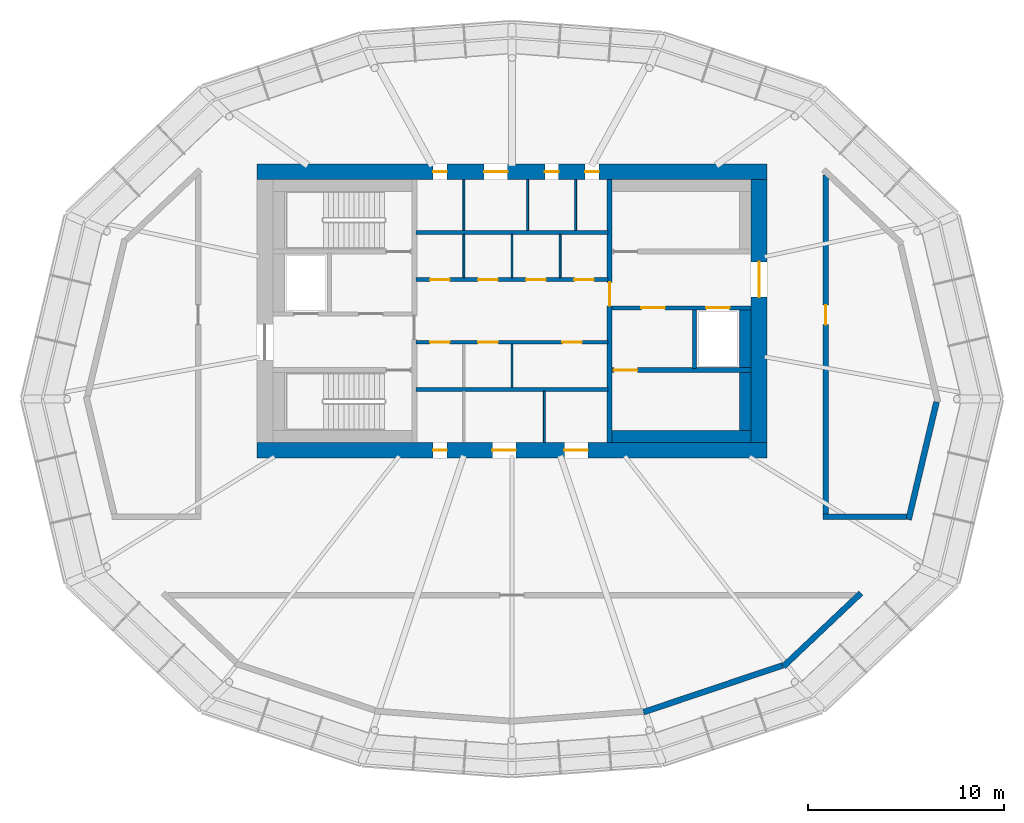
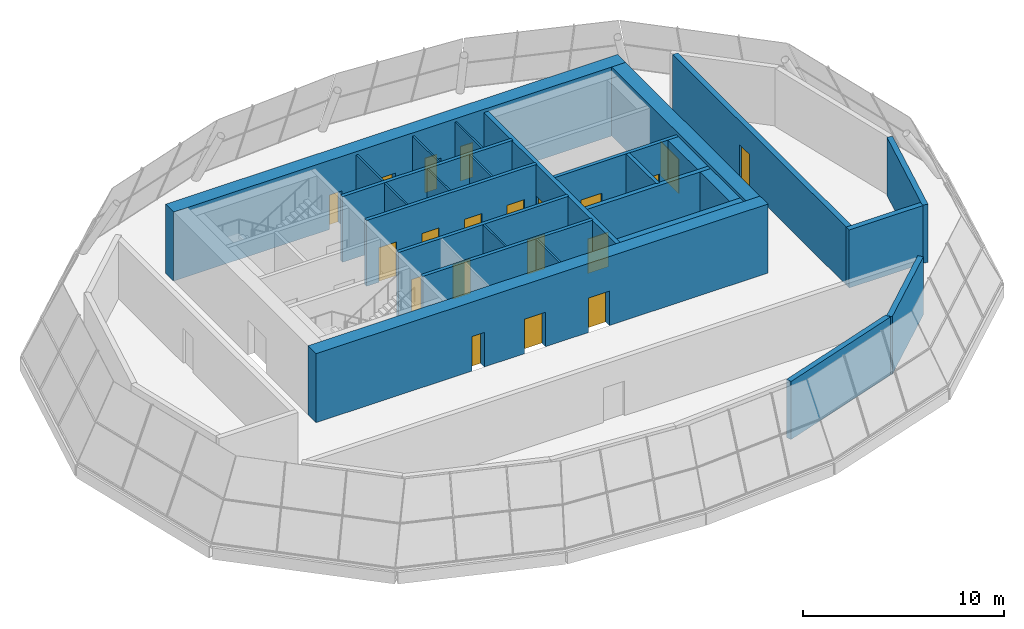
# One storey, part 6 of 8: 27 walls, 20 doors, 20 openings.
"""IFC4 building model written with IfcOpenShell, lengths in metres."""

from ifc_helpers import new_model, si_unit, direction, frame, frame_2d, origin, place, context, subcontext, project, spatial, rectangle, extrude, material, layer, layer_set, type_object, element, fill, save


model = new_model("IFC4")

# Units and contexts
model_context = context("Model", 3, precision=1e-05, world=origin(), true_north=direction((0.0, 1.0)))
body_context = subcontext(model_context, "Body", "Model", "MODEL_VIEW")
ifc_project = project(units=[si_unit("LENGTHUNIT", "METRE"), si_unit("AREAUNIT", "SQUARE_METRE"), si_unit("VOLUMEUNIT", "CUBIC_METRE"), si_unit("PLANEANGLEUNIT", "RADIAN"), si_unit("MASSUNIT", "GRAM", prefix="KILO")], contexts=[model_context])

# Site, building, storey
site_placement = place(None, origin())
site = spatial("IfcSite", under=ifc_project, at=site_placement, CompositionType="ELEMENT")
building_placement = place(site_placement, origin())
building = spatial("IfcBuilding", under=site, at=building_placement, Name="Rubra Terraces Tower", CompositionType="ELEMENT")
storey_placement = place(building_placement, frame((0.0, 0.0, 312.0)))
storey = spatial("IfcBuildingStorey", under=building, at=storey_placement, Name="L77", CompositionType="ELEMENT", Elevation=312.0)

# Wall, openings, doors
ifc_material_1 = material(Name="Concrete C50", Category="concrete")
ifc_layer_1 = layer(ifc_material_1, 0.800048828125)
ifc_layer_set_1 = layer_set([ifc_layer_1], Name="Concrete C50")
wall_type_1 = type_object("IfcWallType", Name="CORE WALL 800 C50", PredefinedType="SHEAR", material=ifc_layer_set_1)
wall_1_placement = place(storey_placement, frame((-13.0, 11.60009765625, 0.0), z_axis=(0.0, 0.0, 1.0), x_axis=(1.0, 0.0, 0.0)))
wall_1 = element("IfcWall", 1, at=wall_1_placement, inside=storey, type_object=wall_type_1, Name="CORE WALL N L77", PredefinedType="SHEAR", context=body_context, shape_type="SweptSolid", body=[
    extrude(rectangle(XDim=26.0, YDim=0.800048828125, at=frame_2d((13.0, 0.0))), origin(), (0.0, 0.0, 1.0), 4.199951171875),
])
opening_1_placement = place(wall_1_placement, frame((8.97509765625, 0.0, 0.0)))
opening_1 = element("IfcOpeningElement", 2, at=opening_1_placement, cuts=wall_1, Name="Opening L77.C23", PredefinedType="OPENING", context=body_context, shape_type="SweptSolid", body=[
    extrude(rectangle(XDim=0.699951171875, YDim=2.10009765625, at=frame_2d((0.35009765625, 1.050048828125))), frame((0.0, 0.409912109375, 0.0), z_axis=(0.0, -1.0, 0.0), x_axis=(1.0, 0.0, 0.0)), (0.0, 0.0, 1.0), 0.820068359375),
])
opening_2_placement = place(wall_1_placement, frame((11.574951171875, 0.0, 0.0)))
opening_2 = element("IfcOpeningElement", 3, at=opening_2_placement, cuts=wall_1, Name="Opening L77.C24", PredefinedType="OPENING", context=body_context, shape_type="SweptSolid", body=[
    extrude(rectangle(XDim=1.199951171875, YDim=2.10009765625, at=frame_2d((0.60009765625, 1.050048828125))), frame((0.0, 0.409912109375, 0.0), z_axis=(0.0, -1.0, 0.0), x_axis=(1.0, 0.0, 0.0)), (0.0, 0.0, 1.0), 0.820068359375),
])
opening_3_placement = place(wall_1_placement, frame((14.675048828125, 0.0, 0.0)))
opening_3 = element("IfcOpeningElement", 4, at=opening_3_placement, cuts=wall_1, Name="Opening L77.C25", PredefinedType="OPENING", context=body_context, shape_type="SweptSolid", body=[
    extrude(rectangle(XDim=0.699951171875, YDim=2.10009765625, at=frame_2d((0.35009765625, 1.050048828125))), frame((0.0, 0.409912109375, 0.0), z_axis=(0.0, -1.0, 0.0), x_axis=(1.0, 0.0, 0.0)), (0.0, 0.0, 1.0), 0.820068359375),
])
opening_4_placement = place(wall_1_placement, frame((16.72509765625, 0.0, 0.0)))
opening_4 = element("IfcOpeningElement", 5, at=opening_4_placement, cuts=wall_1, Name="Opening L77.C26", PredefinedType="OPENING", context=body_context, shape_type="SweptSolid", body=[
    extrude(rectangle(XDim=0.699951171875, YDim=2.10009765625, at=frame_2d((0.35009765625, 1.050048828125))), frame((0.0, 0.409912109375, 0.0), z_axis=(0.0, -1.0, 0.0), x_axis=(1.0, 0.0, 0.0)), (0.0, 0.0, 1.0), 0.820068359375),
])
ifc_material_2 = material(Name="Painted steel", Category="steel")
door_type_1 = type_object("IfcDoorType", Name="Fire door 1200x2100 single", OperationType="NOTDEFINED", PredefinedType="DOOR", material=ifc_material_2)
door_1_placement = place(opening_2_placement, origin())
door_1 = element("IfcDoor", 6, at=door_1_placement, inside=storey, type_object=door_type_1, Name="Air handling plant room door", OperationType="SINGLE_SWING_RIGHT", OverallHeight=2.10009765625, OverallWidth=1.199951171875, PredefinedType="DOOR", context=body_context, shape_type="SweptSolid", body=[
    extrude(rectangle(XDim=1.199951171875, YDim=2.10009765625, at=frame_2d((0.60009765625, 1.050048828125))), frame((0.0, 0.02490234375, 0.0), z_axis=(0.0, -1.0, 0.0), x_axis=(1.0, 0.0, 0.0)), (0.0, 0.0, 1.0), 0.050048828125),
])
fill(opening_2, door_1)
door_type_2 = type_object("IfcDoorType", Name="Riser access door 700x2100 single", OperationType="NOTDEFINED", PredefinedType="DOOR", material=ifc_material_2)
door_2_placement = place(opening_1_placement, origin())
door_2 = element("IfcDoor", 7, at=door_2_placement, inside=storey, type_object=door_type_2, Name="Electrical riser room door", OperationType="SINGLE_SWING_LEFT", OverallHeight=2.10009765625, OverallWidth=0.699951171875, PredefinedType="DOOR", context=body_context, shape_type="SweptSolid", body=[
    extrude(rectangle(XDim=0.699951171875, YDim=2.10009765625, at=frame_2d((0.35009765625, 1.050048828125))), frame((0.0, 0.02490234375, 0.0), z_axis=(0.0, -1.0, 0.0), x_axis=(1.0, 0.0, 0.0)), (0.0, 0.0, 1.0), 0.050048828125),
])
fill(opening_1, door_2)
door_3_placement = place(opening_3_placement, origin())
door_3 = element("IfcDoor", 8, at=door_3_placement, inside=storey, type_object=door_type_2, Name="Telecoms room door", OperationType="SINGLE_SWING_LEFT", OverallHeight=2.10009765625, OverallWidth=0.699951171875, PredefinedType="DOOR", context=body_context, shape_type="SweptSolid", body=[
    extrude(rectangle(XDim=0.699951171875, YDim=2.10009765625, at=frame_2d((0.35009765625, 1.050048828125))), frame((0.0, 0.02490234375, 0.0), z_axis=(0.0, -1.0, 0.0), x_axis=(1.0, 0.0, 0.0)), (0.0, 0.0, 1.0), 0.050048828125),
])
fill(opening_3, door_3)
door_4_placement = place(opening_4_placement, origin())
door_4 = element("IfcDoor", 9, at=door_4_placement, inside=storey, type_object=door_type_2, Name="Water and drainage riser door", OperationType="SINGLE_SWING_RIGHT", OverallHeight=2.10009765625, OverallWidth=0.699951171875, PredefinedType="DOOR", context=body_context, shape_type="SweptSolid", body=[
    extrude(rectangle(XDim=0.699951171875, YDim=2.10009765625, at=frame_2d((0.35009765625, 1.050048828125))), frame((0.0, 0.02490234375, 0.0), z_axis=(0.0, -1.0, 0.0), x_axis=(1.0, 0.0, 0.0)), (0.0, 0.0, 1.0), 0.050048828125),
])
fill(opening_4, door_4)

wall_2_placement = place(storey_placement, frame((-13.0, -2.60009765625, 0.0), z_axis=(0.0, 0.0, 1.0), x_axis=(1.0, 0.0, 0.0)))
wall_2 = element("IfcWall", 10, at=wall_2_placement, inside=storey, type_object=wall_type_1, Name="CORE WALL S L77", PredefinedType="SHEAR", context=body_context, shape_type="SweptSolid", body=[
    extrude(rectangle(XDim=26.0, YDim=0.800048828125, at=frame_2d((13.0, 0.0))), origin(), (0.0, 0.0, 1.0), 4.199951171875),
])
opening_5_placement = place(wall_2_placement, frame((8.97509765625, 0.0, 0.0)))
opening_5 = element("IfcOpeningElement", 11, at=opening_5_placement, cuts=wall_2, Name="Opening L77.C20", PredefinedType="OPENING", context=body_context, shape_type="SweptSolid", body=[
    extrude(rectangle(XDim=0.699951171875, YDim=2.10009765625, at=frame_2d((0.35009765625, 1.050048828125))), frame((0.0, 0.409912109375, 0.0), z_axis=(0.0, -1.0, 0.0), x_axis=(1.0, 0.0, 0.0)), (0.0, 0.0, 1.0), 0.820068359375),
])
opening_6_placement = place(wall_2_placement, frame((12.0, 0.0, 0.0)))
opening_6 = element("IfcOpeningElement", 12, at=opening_6_placement, cuts=wall_2, Name="Opening L77.C21", PredefinedType="OPENING", context=body_context, shape_type="SweptSolid", body=[
    extrude(rectangle(XDim=1.199951171875, YDim=2.10009765625, at=frame_2d((0.60009765625, 1.050048828125))), frame((0.0, 0.409912109375, 0.0), z_axis=(0.0, -1.0, 0.0), x_axis=(1.0, 0.0, 0.0)), (0.0, 0.0, 1.0), 0.820068359375),
])
opening_7_placement = place(wall_2_placement, frame((15.675048828125, 0.0, 0.0)))
opening_7 = element("IfcOpeningElement", 13, at=opening_7_placement, cuts=wall_2, Name="Opening L77.C22", PredefinedType="OPENING", context=body_context, shape_type="SweptSolid", body=[
    extrude(rectangle(XDim=1.199951171875, YDim=2.10009765625, at=frame_2d((0.60009765625, 1.050048828125))), frame((0.0, 0.409912109375, 0.0), z_axis=(0.0, -1.0, 0.0), x_axis=(1.0, 0.0, 0.0)), (0.0, 0.0, 1.0), 0.820068359375),
])
door_5_placement = place(opening_6_placement, origin())
door_5 = element("IfcDoor", 14, at=door_5_placement, inside=storey, type_object=door_type_1, Name="Air handling plant room door", OperationType="SINGLE_SWING_LEFT", OverallHeight=2.10009765625, OverallWidth=1.199951171875, PredefinedType="DOOR", context=body_context, shape_type="SweptSolid", body=[
    extrude(rectangle(XDim=1.199951171875, YDim=2.10009765625, at=frame_2d((0.60009765625, 1.050048828125))), frame((0.0, 0.02490234375, 0.0), z_axis=(0.0, -1.0, 0.0), x_axis=(1.0, 0.0, 0.0)), (0.0, 0.0, 1.0), 0.050048828125),
])
fill(opening_6, door_5)
door_6_placement = place(opening_7_placement, origin())
door_6 = element("IfcDoor", 15, at=door_6_placement, inside=storey, type_object=door_type_1, Name="Pump room door", OperationType="SINGLE_SWING_RIGHT", OverallHeight=2.10009765625, OverallWidth=1.199951171875, PredefinedType="DOOR", context=body_context, shape_type="SweptSolid", body=[
    extrude(rectangle(XDim=1.199951171875, YDim=2.10009765625, at=frame_2d((0.60009765625, 1.050048828125))), frame((0.0, 0.02490234375, 0.0), z_axis=(0.0, -1.0, 0.0), x_axis=(1.0, 0.0, 0.0)), (0.0, 0.0, 1.0), 0.050048828125),
])
fill(opening_7, door_6)
door_7_placement = place(opening_5_placement, origin())
door_7 = element("IfcDoor", 16, at=door_7_placement, inside=storey, type_object=door_type_2, Name="Electrical riser room door", OperationType="SINGLE_SWING_RIGHT", OverallHeight=2.10009765625, OverallWidth=0.699951171875, PredefinedType="DOOR", context=body_context, shape_type="SweptSolid", body=[
    extrude(rectangle(XDim=0.699951171875, YDim=2.10009765625, at=frame_2d((0.35009765625, 1.050048828125))), frame((0.0, 0.02490234375, 0.0), z_axis=(0.0, -1.0, 0.0), x_axis=(1.0, 0.0, 0.0)), (0.0, 0.0, 1.0), 0.050048828125),
])
fill(opening_5, door_7)

# Wall, opening, door
wall_3_placement = place(storey_placement, frame((12.60009765625, -2.199951171875, 0.0), z_axis=(0.0, 0.0, 1.0), x_axis=(0.0, 1.0, 0.0)))
wall_3 = element("IfcWall", 17, at=wall_3_placement, inside=storey, type_object=wall_type_1, Name="CORE WALL E L77", PredefinedType="SHEAR", context=body_context, shape_type="SweptSolid", body=[
    extrude(rectangle(XDim=13.39990234375, YDim=0.800048828125, at=frame_2d((6.699951171875, 0.0))), origin(), (0.0, 0.0, 1.0), 4.199951171875),
])
opening_8_placement = place(wall_3_placement, frame((7.39990234375, 0.0, 0.0)))
opening_8 = element("IfcOpeningElement", 18, at=opening_8_placement, cuts=wall_3, Name="Opening L77.C02", PredefinedType="OPENING", context=body_context, shape_type="SweptSolid", body=[
    extrude(rectangle(XDim=1.800048828125, YDim=2.10009765625, at=frame_2d((0.89990234375, 1.050048828125))), frame((0.0, 0.409912109375, 0.0), z_axis=(0.0, -1.0, 0.0), x_axis=(1.0, 0.0, 0.0)), (0.0, 0.0, 1.0), 0.820068359375),
])
door_type_3 = type_object("IfcDoorType", Name="Fire door 1800x2100 double", OperationType="NOTDEFINED", PredefinedType="DOOR", material=ifc_material_2)
door_8_placement = place(opening_8_placement, origin())
door_8 = element("IfcDoor", 19, at=door_8_placement, inside=storey, type_object=door_type_3, Name="Core entrance door FF2", OperationType="DOUBLE_DOOR_SINGLE_SWING", OverallHeight=2.10009765625, OverallWidth=1.800048828125, PredefinedType="DOOR", context=body_context, shape_type="SweptSolid", body=[
    extrude(rectangle(XDim=1.800048828125, YDim=2.10009765625, at=frame_2d((0.89990234375, 1.050048828125))), frame((0.0, 0.02490234375, 0.0), z_axis=(0.0, -1.0, 0.0), x_axis=(1.0, 0.0, 0.0)), (0.0, 0.0, 1.0), 0.050048828125),
])
fill(opening_8, door_8)

# Walls
ifc_material_3 = material(Name="Concrete C40", Category="concrete")
ifc_layer_2 = layer(ifc_material_3, 0.60009765625)
ifc_layer_set_2 = layer_set([ifc_layer_2], Name="Concrete C40")
wall_type_2 = type_object("IfcWallType", Name="Core lining wall 600 concrete", PredefinedType="SOLIDWALL", material=ifc_layer_set_2)
wall_4_placement = place(storey_placement, frame((11.89990234375, 4.550048828125, 0.0), z_axis=(0.0, 0.0, 1.0), x_axis=(0.0, -1.0, 0.0)))
element("IfcWall", 20, at=wall_4_placement, inside=storey, type_object=wall_type_2, Name="CORE LINING WALL L77", PredefinedType="SOLIDWALL", context=body_context, shape_type="SweptSolid", body=[
    extrude(rectangle(XDim=3.0, YDim=0.60009765625, at=frame_2d((1.5, 0.0))), origin(), (0.0, 0.0, 1.0), 4.0),
])
wall_5_placement = place(storey_placement, frame((11.89990234375, 1.35009765625, 0.0), z_axis=(0.0, 0.0, 1.0), x_axis=(0.0, -1.0, 0.0)))
element("IfcWall", 21, at=wall_5_placement, inside=storey, type_object=wall_type_2, Name="CORE LINING WALL L77", PredefinedType="SOLIDWALL", context=body_context, shape_type="SweptSolid", body=[
    extrude(rectangle(XDim=2.9501953125, YDim=0.60009765625, at=frame_2d((1.47509765625, 0.0))), origin(), (0.0, 0.0, 1.0), 4.0),
])
wall_6_placement = place(storey_placement, frame((12.199951171875, -1.89990234375, 0.0), z_axis=(0.0, 0.0, 1.0), x_axis=(-1.0, 0.0, 0.0)))
element("IfcWall", 22, at=wall_6_placement, inside=storey, type_object=wall_type_2, Name="CORE LINING WALL L77", PredefinedType="SOLIDWALL", context=body_context, shape_type="SweptSolid", body=[
    extrude(rectangle(XDim=7.099853515625, YDim=0.60009765625, at=frame_2d((3.5498046875, 0.0))), origin(), (0.0, 0.0, 1.0), 4.0),
])

# Wall, openings, doors
ifc_material_4 = material(Name="Concrete C30", Category="concrete")
ifc_layer_3 = layer(ifc_material_4, 0.199951171875)
ifc_layer_set_3 = layer_set([ifc_layer_3], Name="Concrete C30")
wall_type_3 = type_object("IfcWallType", Name="Core wall 200 concrete", PredefinedType="SOLIDWALL", material=ifc_layer_set_3)
wall_7_placement = place(storey_placement, frame((12.199951171875, 4.64990234375, 0.0), z_axis=(0.0, 0.0, 1.0), x_axis=(-1.0, 0.0, 0.0)))
wall_7 = element("IfcWall", 23, at=wall_7_placement, inside=storey, type_object=wall_type_3, Name="STAIR WALL L77", PredefinedType="SOLIDWALL", context=body_context, shape_type="SweptSolid", body=[
    extrude(rectangle(XDim=7.099853515625, YDim=0.199951171875, at=frame_2d((3.5498046875, 0.0))), origin(), (0.0, 0.0, 1.0), 4.0),
])
opening_9_placement = place(wall_7_placement, frame((4.39990234375, 0.0, 0.0)))
opening_9 = element("IfcOpeningElement", 24, at=opening_9_placement, cuts=wall_7, Name="Opening L77.C06", PredefinedType="OPENING", context=body_context, shape_type="SweptSolid", body=[
    extrude(rectangle(XDim=1.199951171875, YDim=2.10009765625, at=frame_2d((0.60009765625, 1.050048828125))), frame((0.0, 0.10986328125, 0.0), z_axis=(0.0, -1.0, 0.0), x_axis=(1.0, 0.0, 0.0)), (0.0, 0.0, 1.0), 0.219970703125),
])
opening_10_placement = place(wall_7_placement, frame((1.10009765625, 0.0, 0.0)))
opening_10 = element("IfcOpeningElement", 25, at=opening_10_placement, cuts=wall_7, Name="Opening L77.C12", PredefinedType="OPENING", context=body_context, shape_type="SweptSolid", body=[
    extrude(rectangle(XDim=1.199951171875, YDim=2.10009765625, at=frame_2d((0.60009765625, 1.050048828125))), frame((0.0, 0.10986328125, 0.0), z_axis=(0.0, -1.0, 0.0), x_axis=(1.0, 0.0, 0.0)), (0.0, 0.0, 1.0), 0.219970703125),
])
door_9_placement = place(opening_9_placement, origin())
door_9 = element("IfcDoor", 26, at=door_9_placement, inside=storey, type_object=door_type_1, Name="Stair vestibule door S4", OperationType="SINGLE_SWING_RIGHT", OverallHeight=2.10009765625, OverallWidth=1.199951171875, PredefinedType="DOOR", context=body_context, shape_type="SweptSolid", body=[
    extrude(rectangle(XDim=1.199951171875, YDim=2.10009765625, at=frame_2d((0.60009765625, 1.050048828125))), frame((0.0, 0.02490234375, 0.0), z_axis=(0.0, -1.0, 0.0), x_axis=(1.0, 0.0, 0.0)), (0.0, 0.0, 1.0), 0.050048828125),
])
fill(opening_9, door_9)
ifc_material_5 = material(Name="Stainless steel", Category="steel")
door_type_4 = type_object("IfcDoorType", Name="Lift landing door 1200x2100", OperationType="NOTDEFINED", PredefinedType="DOOR", material=ifc_material_5)
door_10_placement = place(opening_10_placement, origin())
door_10 = element("IfcDoor", 27, at=door_10_placement, inside=storey, type_object=door_type_4, Name="Landing door FF2", OperationType="SLIDING_TO_RIGHT", OverallHeight=2.10009765625, OverallWidth=1.199951171875, PredefinedType="DOOR", context=body_context, shape_type="SweptSolid", body=[
    extrude(rectangle(XDim=1.199951171875, YDim=2.10009765625, at=frame_2d((0.60009765625, 1.050048828125))), frame((0.0, 0.02490234375, 0.0), z_axis=(0.0, -1.0, 0.0), x_axis=(1.0, 0.0, 0.0)), (0.0, 0.0, 1.0), 0.050048828125),
])
fill(opening_10, door_10)

# Walls
wall_8_placement = place(storey_placement, frame((9.300048828125, 4.550048828125, 0.0), z_axis=(0.0, 0.0, 1.0), x_axis=(0.0, -1.0, 0.0)))
element("IfcWall", 28, at=wall_8_placement, inside=storey, type_object=wall_type_3, Name="STAIR WALL L77", PredefinedType="SOLIDWALL", context=body_context, shape_type="SweptSolid", body=[
    extrude(rectangle(XDim=3.0, YDim=0.199951171875, at=frame_2d((1.5, 0.0))), origin(), (0.0, 0.0, 1.0), 4.0),
])
wall_9_placement = place(storey_placement, frame((-4.89990234375, 0.5, 0.0), z_axis=(0.0, 0.0, 1.0), x_axis=(1.0, 0.0, 0.0)))
element("IfcWall", 29, at=wall_9_placement, inside=storey, type_object=wall_type_3, Name="LIFT SHAFT WALL L77", PredefinedType="SOLIDWALL", context=body_context, shape_type="SweptSolid", body=[
    extrude(rectangle(XDim=9.7998046875, YDim=0.199951171875, at=frame_2d((4.89990234375, 0.0))), origin(), (0.0, 0.0, 1.0), 4.0),
])

# Wall, openings, doors
wall_10_placement = place(storey_placement, frame((-4.89990234375, 2.89990234375, 0.0), z_axis=(0.0, 0.0, 1.0), x_axis=(1.0, 0.0, 0.0)))
wall_10 = element("IfcWall", 30, at=wall_10_placement, inside=storey, type_object=wall_type_3, Name="LIFT SHAFT WALL L77", PredefinedType="SOLIDWALL", context=body_context, shape_type="SweptSolid", body=[
    extrude(rectangle(XDim=9.7998046875, YDim=0.199951171875, at=frame_2d((4.89990234375, 0.0))), origin(), (0.0, 0.0, 1.0), 4.0),
])
opening_11_placement = place(wall_10_placement, frame((0.72509765625, 0.0, 0.0)))
opening_11 = element("IfcOpeningElement", 31, at=opening_11_placement, cuts=wall_10, Name="Opening L77.C13", PredefinedType="OPENING", context=body_context, shape_type="SweptSolid", body=[
    extrude(rectangle(XDim=1.0, YDim=2.10009765625, at=frame_2d((0.5, 1.050048828125))), frame((0.0, 0.10986328125, 0.0), z_axis=(0.0, -1.0, 0.0), x_axis=(1.0, 0.0, 0.0)), (0.0, 0.0, 1.0), 0.219970703125),
])
opening_12_placement = place(wall_10_placement, frame((3.175048828125, 0.0, 0.0)))
opening_12 = element("IfcOpeningElement", 32, at=opening_12_placement, cuts=wall_10, Name="Opening L77.C14", PredefinedType="OPENING", context=body_context, shape_type="SweptSolid", body=[
    extrude(rectangle(XDim=1.0, YDim=2.10009765625, at=frame_2d((0.5, 1.050048828125))), frame((0.0, 0.10986328125, 0.0), z_axis=(0.0, -1.0, 0.0), x_axis=(1.0, 0.0, 0.0)), (0.0, 0.0, 1.0), 0.219970703125),
])
opening_13_placement = place(wall_10_placement, frame((7.462890625, 0.0, 0.0)))
opening_13 = element("IfcOpeningElement", 33, at=opening_13_placement, cuts=wall_10, Name="Opening L77.C15", PredefinedType="OPENING", context=body_context, shape_type="SweptSolid", body=[
    extrude(rectangle(XDim=1.0, YDim=2.10009765625, at=frame_2d((0.5, 1.050048828125))), frame((0.0, 0.10986328125, 0.0), z_axis=(0.0, -1.0, 0.0), x_axis=(1.0, 0.0, 0.0)), (0.0, 0.0, 1.0), 0.219970703125),
])
door_type_5 = type_object("IfcDoorType", Name="Fire door 1000x2100 single", OperationType="NOTDEFINED", PredefinedType="DOOR", material=ifc_material_2)
door_11_placement = place(opening_11_placement, origin())
door_11 = element("IfcDoor", 34, at=door_11_placement, inside=storey, type_object=door_type_5, Name="Lift motor room door", OperationType="SINGLE_SWING_LEFT", OverallHeight=2.10009765625, OverallWidth=1.0, PredefinedType="DOOR", context=body_context, shape_type="SweptSolid", body=[
    extrude(rectangle(XDim=1.0, YDim=2.10009765625, at=frame_2d((0.5, 1.050048828125))), frame((0.0, 0.02490234375, 0.0), z_axis=(0.0, -1.0, 0.0), x_axis=(1.0, 0.0, 0.0)), (0.0, 0.0, 1.0), 0.050048828125),
])
fill(opening_11, door_11)
door_12_placement = place(opening_12_placement, origin())
door_12 = element("IfcDoor", 35, at=door_12_placement, inside=storey, type_object=door_type_5, Name="Lift motor room door", OperationType="SINGLE_SWING_RIGHT", OverallHeight=2.10009765625, OverallWidth=1.0, PredefinedType="DOOR", context=body_context, shape_type="SweptSolid", body=[
    extrude(rectangle(XDim=1.0, YDim=2.10009765625, at=frame_2d((0.5, 1.050048828125))), frame((0.0, 0.02490234375, 0.0), z_axis=(0.0, -1.0, 0.0), x_axis=(1.0, 0.0, 0.0)), (0.0, 0.0, 1.0), 0.050048828125),
])
fill(opening_12, door_12)
door_13_placement = place(opening_13_placement, origin())
door_13 = element("IfcDoor", 36, at=door_13_placement, inside=storey, type_object=door_type_5, Name="Security and building control room door", OperationType="SINGLE_SWING_LEFT", OverallHeight=2.10009765625, OverallWidth=1.0, PredefinedType="DOOR", context=body_context, shape_type="SweptSolid", body=[
    extrude(rectangle(XDim=1.0, YDim=2.10009765625, at=frame_2d((0.5, 1.050048828125))), frame((0.0, 0.02490234375, 0.0), z_axis=(0.0, -1.0, 0.0), x_axis=(1.0, 0.0, 0.0)), (0.0, 0.0, 1.0), 0.050048828125),
])
fill(opening_13, door_13)

wall_11_placement = place(storey_placement, frame((-4.89990234375, 6.10009765625, 0.0), z_axis=(0.0, 0.0, 1.0), x_axis=(1.0, 0.0, 0.0)))
wall_11 = element("IfcWall", 37, at=wall_11_placement, inside=storey, type_object=wall_type_3, Name="LIFT SHAFT WALL L77", PredefinedType="SOLIDWALL", context=body_context, shape_type="SweptSolid", body=[
    extrude(rectangle(XDim=9.7998046875, YDim=0.199951171875, at=frame_2d((4.89990234375, 0.0))), origin(), (0.0, 0.0, 1.0), 4.0),
])
opening_14_placement = place(wall_11_placement, frame((0.72509765625, 0.0, 0.0)))
opening_14 = element("IfcOpeningElement", 38, at=opening_14_placement, cuts=wall_11, Name="Opening L77.C16", PredefinedType="OPENING", context=body_context, shape_type="SweptSolid", body=[
    extrude(rectangle(XDim=1.0, YDim=2.10009765625, at=frame_2d((0.5, 1.050048828125))), frame((0.0, 0.10986328125, 0.0), z_axis=(0.0, -1.0, 0.0), x_axis=(1.0, 0.0, 0.0)), (0.0, 0.0, 1.0), 0.219970703125),
])
opening_15_placement = place(wall_11_placement, frame((3.175048828125, 0.0, 0.0)))
opening_15 = element("IfcOpeningElement", 39, at=opening_15_placement, cuts=wall_11, Name="Opening L77.C17", PredefinedType="OPENING", context=body_context, shape_type="SweptSolid", body=[
    extrude(rectangle(XDim=1.0, YDim=2.10009765625, at=frame_2d((0.5, 1.050048828125))), frame((0.0, 0.10986328125, 0.0), z_axis=(0.0, -1.0, 0.0), x_axis=(1.0, 0.0, 0.0)), (0.0, 0.0, 1.0), 0.219970703125),
])
opening_16_placement = place(wall_11_placement, frame((5.625, 0.0, 0.0)))
opening_16 = element("IfcOpeningElement", 40, at=opening_16_placement, cuts=wall_11, Name="Opening L77.C18", PredefinedType="OPENING", context=body_context, shape_type="SweptSolid", body=[
    extrude(rectangle(XDim=1.0, YDim=2.10009765625, at=frame_2d((0.5, 1.050048828125))), frame((0.0, 0.10986328125, 0.0), z_axis=(0.0, -1.0, 0.0), x_axis=(1.0, 0.0, 0.0)), (0.0, 0.0, 1.0), 0.219970703125),
])
opening_17_placement = place(wall_11_placement, frame((8.074951171875, 0.0, 0.0)))
opening_17 = element("IfcOpeningElement", 41, at=opening_17_placement, cuts=wall_11, Name="Opening L77.C19", PredefinedType="OPENING", context=body_context, shape_type="SweptSolid", body=[
    extrude(rectangle(XDim=1.0, YDim=2.10009765625, at=frame_2d((0.5, 1.050048828125))), frame((0.0, 0.10986328125, 0.0), z_axis=(0.0, -1.0, 0.0), x_axis=(1.0, 0.0, 0.0)), (0.0, 0.0, 1.0), 0.219970703125),
])
door_14_placement = place(opening_14_placement, origin())
door_14 = element("IfcDoor", 42, at=door_14_placement, inside=storey, type_object=door_type_5, Name="Lift motor room door", OperationType="SINGLE_SWING_RIGHT", OverallHeight=2.10009765625, OverallWidth=1.0, PredefinedType="DOOR", context=body_context, shape_type="SweptSolid", body=[
    extrude(rectangle(XDim=1.0, YDim=2.10009765625, at=frame_2d((0.5, 1.050048828125))), frame((0.0, 0.02490234375, 0.0), z_axis=(0.0, -1.0, 0.0), x_axis=(1.0, 0.0, 0.0)), (0.0, 0.0, 1.0), 0.050048828125),
])
fill(opening_14, door_14)
door_15_placement = place(opening_15_placement, origin())
door_15 = element("IfcDoor", 43, at=door_15_placement, inside=storey, type_object=door_type_5, Name="Lift motor room door", OperationType="SINGLE_SWING_LEFT", OverallHeight=2.10009765625, OverallWidth=1.0, PredefinedType="DOOR", context=body_context, shape_type="SweptSolid", body=[
    extrude(rectangle(XDim=1.0, YDim=2.10009765625, at=frame_2d((0.5, 1.050048828125))), frame((0.0, 0.02490234375, 0.0), z_axis=(0.0, -1.0, 0.0), x_axis=(1.0, 0.0, 0.0)), (0.0, 0.0, 1.0), 0.050048828125),
])
fill(opening_15, door_15)
door_16_placement = place(opening_16_placement, origin())
door_16 = element("IfcDoor", 44, at=door_16_placement, inside=storey, type_object=door_type_5, Name="Lift motor room door", OperationType="SINGLE_SWING_RIGHT", OverallHeight=2.10009765625, OverallWidth=1.0, PredefinedType="DOOR", context=body_context, shape_type="SweptSolid", body=[
    extrude(rectangle(XDim=1.0, YDim=2.10009765625, at=frame_2d((0.5, 1.050048828125))), frame((0.0, 0.02490234375, 0.0), z_axis=(0.0, -1.0, 0.0), x_axis=(1.0, 0.0, 0.0)), (0.0, 0.0, 1.0), 0.050048828125),
])
fill(opening_16, door_16)
door_17_placement = place(opening_17_placement, origin())
door_17 = element("IfcDoor", 45, at=door_17_placement, inside=storey, type_object=door_type_5, Name="Lift motor room door", OperationType="SINGLE_SWING_LEFT", OverallHeight=2.10009765625, OverallWidth=1.0, PredefinedType="DOOR", context=body_context, shape_type="SweptSolid", body=[
    extrude(rectangle(XDim=1.0, YDim=2.10009765625, at=frame_2d((0.5, 1.050048828125))), frame((0.0, 0.02490234375, 0.0), z_axis=(0.0, -1.0, 0.0), x_axis=(1.0, 0.0, 0.0)), (0.0, 0.0, 1.0), 0.050048828125),
])
fill(opening_17, door_17)

# Walls
wall_12_placement = place(storey_placement, frame((-4.89990234375, 8.5, 0.0), z_axis=(0.0, 0.0, 1.0), x_axis=(1.0, 0.0, 0.0)))
element("IfcWall", 46, at=wall_12_placement, inside=storey, type_object=wall_type_3, Name="LIFT SHAFT WALL L77", PredefinedType="SOLIDWALL", context=body_context, shape_type="SweptSolid", body=[
    extrude(rectangle(XDim=9.7998046875, YDim=0.199951171875, at=frame_2d((4.89990234375, 0.0))), origin(), (0.0, 0.0, 1.0), 4.0),
])
ifc_material_6 = material(Name="Blockwork", Category="masonry")
ifc_layer_4 = layer(ifc_material_6, 0.300048828125)
ifc_layer_set_4 = layer_set([ifc_layer_4], Name="Blockwork")
wall_type_4 = type_object("IfcWallType", Name="Plant wall 300 blockwork", PredefinedType="SOLIDWALL", material=ifc_layer_set_4)
wall_13_placement = place(storey_placement, frame((21.64892578125, -0.14599609375, 0.0), z_axis=(0.0, 0.0, 1.0), x_axis=(-0.231042450417, -0.972943670572, 0.0)))
element("IfcWall", 47, at=wall_13_placement, inside=storey, type_object=wall_type_4, Name="Plant room wall", PredefinedType="SOLIDWALL", context=body_context, shape_type="SweptSolid", body=[
    extrude(rectangle(XDim=6.166748046875, YDim=0.300048828125, at=frame_2d((3.08349609375, 0.0))), origin(), (0.0, 0.0, 1.0), 3.533935546875),
])
wall_14_placement = place(storey_placement, frame((20.10888671875, -6.0, 0.0), z_axis=(0.0, 0.0, 1.0), x_axis=(-1.0, 0.0, 0.0)))
element("IfcWall", 48, at=wall_14_placement, inside=storey, type_object=wall_type_4, Name="Plant room wall", PredefinedType="SOLIDWALL", context=body_context, shape_type="SweptSolid", body=[
    extrude(rectangle(XDim=4.2587890625, YDim=0.300048828125, at=frame_2d((2.12939453125, 0.0))), origin(), (0.0, 0.0, 1.0), 3.533935546875),
])

# Wall, opening, door
wall_15_placement = place(storey_placement, frame((16.0, -5.85009765625, 0.0), z_axis=(0.0, 0.0, 1.0), x_axis=(0.0, 1.0, 0.0)))
wall_15 = element("IfcWall", 49, at=wall_15_placement, inside=storey, type_object=wall_type_4, Name="Plant room wall", PredefinedType="SOLIDWALL", context=body_context, shape_type="SweptSolid", body=[
    extrude(rectangle(XDim=17.2919921875, YDim=0.300048828125, at=frame_2d((8.64599609375, 0.0))), origin(), (0.0, 0.0, 1.0), 3.533935546875),
])
opening_18_placement = place(wall_15_placement, frame((9.64599609375, 0.0, 0.0)))
opening_18 = element("IfcOpeningElement", 50, at=opening_18_placement, cuts=wall_15, Name="Opening DB1", PredefinedType="OPENING", context=body_context, shape_type="SweptSolid", body=[
    extrude(rectangle(XDim=1.0, YDim=2.10009765625, at=frame_2d((0.5, 1.050048828125))), frame((0.0, 0.159912109375, 0.0), z_axis=(0.0, -1.0, 0.0), x_axis=(1.0, 0.0, 0.0)), (0.0, 0.0, 1.0), 0.320068359375),
])
ifc_material_7 = material(Name="Painted timber", Category="wood")
door_type_6 = type_object("IfcDoorType", Name="Door 1000x2100 single", OperationType="NOTDEFINED", PredefinedType="DOOR", material=ifc_material_7)
door_18_placement = place(opening_18_placement, origin())
door_18 = element("IfcDoor", 51, at=door_18_placement, inside=storey, type_object=door_type_6, Name="Plant room door L77-02", OperationType="SINGLE_SWING_LEFT", OverallHeight=2.10009765625, OverallWidth=1.0, PredefinedType="DOOR", context=body_context, shape_type="SweptSolid", body=[
    extrude(rectangle(XDim=1.0, YDim=2.10009765625, at=frame_2d((0.5, 1.050048828125))), frame((0.0, 0.02490234375, 0.0), z_axis=(0.0, -1.0, 0.0), x_axis=(1.0, 0.0, 0.0)), (0.0, 0.0, 1.0), 0.050048828125),
])
fill(opening_18, door_18)

# Walls
wall_16_placement = place(storey_placement, frame((17.7919921875, -9.89697265625, 0.0), z_axis=(0.0, 0.0, 1.0), x_axis=(-0.726585930652, -0.68707560383, 0.0)))
element("IfcWall", 52, at=wall_16_placement, inside=storey, type_object=wall_type_4, Name="Plant room wall", PredefinedType="SOLIDWALL", context=body_context, shape_type="SweptSolid", body=[
    extrude(rectangle(XDim=5.437744140625, YDim=0.300048828125, at=frame_2d((2.71875, 0.0))), origin(), (0.0, 0.0, 1.0), 3.533935546875),
])
wall_17_placement = place(storey_placement, frame((13.80810546875, -13.577880859375, 0.0), z_axis=(0.0, 0.0, 1.0), x_axis=(-0.947928211232, -0.318484075505, 0.0)))
element("IfcWall", 53, at=wall_17_placement, inside=storey, type_object=wall_type_4, Name="Plant room wall", PredefinedType="SOLIDWALL", context=body_context, shape_type="SweptSolid", body=[
    extrude(rectangle(XDim=7.49560546875, YDim=0.300048828125, at=frame_2d((3.747802734375, 0.0))), origin(), (0.0, 0.0, 1.0), 3.533935546875),
])
ifc_layer_5 = layer(ifc_material_6, 0.10009765625)
ifc_layer_set_5 = layer_set([ifc_layer_5], Name="Blockwork")
wall_type_5 = type_object("IfcWallType", Name="Service partition 100 blockwork", PredefinedType="PARTITIONING", material=ifc_layer_set_5)
for number, where, z_axis, x_axis, name in (
    (54, (0.0, 0.60009765625, 0.0), (0.0, 0.0, 1.0), (0.0, 1.0, 0.0), "LIFT SHAFT WALL L77"),
    (55, (-2.449951171875, 6.199951171875, 0.0), (0.0, 0.0, 1.0), (0.0, 1.0, 0.0), "LIFT SHAFT WALL L77"),
    (56, (0.0, 6.199951171875, 0.0), (0.0, 0.0, 1.0), (0.0, 1.0, 0.0), "LIFT SHAFT WALL L77"),
    (57, (2.449951171875, 6.199951171875, 0.0), (0.0, 0.0, 1.0), (0.0, 1.0, 0.0), "LIFT SHAFT WALL L77"),
):
    element("IfcWall", number, at=place(storey_placement, frame(where, z_axis=z_axis, x_axis=x_axis)), inside=storey, type_object=wall_type_5, Name=name, PredefinedType="PARTITIONING", context=body_context, shape_type="SweptSolid", body=[
        extrude(rectangle(XDim=2.199951171875, YDim=0.10009765625, at=frame_2d((1.10009765625, 0.0))), origin(), (0.0, 0.0, 1.0), 4.0),
    ])
for number, where, z_axis, x_axis, name in (
    (58, (1.64990234375, -2.199951171875, 0.0), (0.0, 0.0, 1.0), (0.0, 1.0, 0.0), "SERVICE ROOM PARTITION L77"),
    (59, (-2.449951171875, 8.60009765625, 0.0), (0.0, 0.0, 1.0), (0.0, 1.0, 0.0), "SERVICE ROOM PARTITION L77"),
    (60, (0.800048828125, 8.60009765625, 0.0), (0.0, 0.0, 1.0), (0.0, 1.0, 0.0), "SERVICE ROOM PARTITION L77"),
    (61, (3.25, 8.60009765625, 0.0), (0.0, 0.0, 1.0), (0.0, 1.0, 0.0), "SERVICE ROOM PARTITION L77"),
):
    element("IfcWall", number, at=place(storey_placement, frame(where, z_axis=z_axis, x_axis=x_axis)), inside=storey, type_object=wall_type_5, Name=name, PredefinedType="PARTITIONING", context=body_context, shape_type="SweptSolid", body=[
        extrude(rectangle(XDim=2.599853515625, YDim=0.10009765625, at=frame_2d((1.2998046875, 0.0))), origin(), (0.0, 0.0, 1.0), 4.0),
    ])

# Wall, opening, door
ifc_layer_6 = layer(ifc_material_3, 0.25)
ifc_layer_set_6 = layer_set([ifc_layer_6], Name="Concrete C40")
wall_type_6 = type_object("IfcWallType", Name="Stair enclosure wall 250 concrete", PredefinedType="SOLIDWALL", material=ifc_layer_set_6)
wall_18_placement = place(storey_placement, frame((12.199951171875, 1.47509765625, 0.0), z_axis=(0.0, 0.0, 1.0), x_axis=(-1.0, 0.0, 0.0)))
wall_18 = element("IfcWall", 62, at=wall_18_placement, inside=storey, type_object=wall_type_6, Name="STAIR WALL L77", PredefinedType="SOLIDWALL", context=body_context, shape_type="SweptSolid", body=[
    extrude(rectangle(XDim=7.099853515625, YDim=0.25, at=frame_2d((3.5498046875, 0.0))), origin(), (0.0, 0.0, 1.0), 4.0),
])
opening_19_placement = place(wall_18_placement, frame((5.800048828125, 0.0, 0.0)))
opening_19 = element("IfcOpeningElement", 63, at=opening_19_placement, cuts=wall_18, Name="Opening L77.C10", PredefinedType="OPENING", context=body_context, shape_type="SweptSolid", body=[
    extrude(rectangle(XDim=1.199951171875, YDim=2.10009765625, at=frame_2d((0.60009765625, 1.050048828125))), frame((0.0, 0.135009765625, 0.0), z_axis=(0.0, -1.0, 0.0), x_axis=(1.0, 0.0, 0.0)), (0.0, 0.0, 1.0), 0.27001953125),
])
door_19_placement = place(opening_19_placement, origin())
door_19 = element("IfcDoor", 64, at=door_19_placement, inside=storey, type_object=door_type_1, Name="Plant room door", OperationType="SINGLE_SWING_RIGHT", OverallHeight=2.10009765625, OverallWidth=1.199951171875, PredefinedType="DOOR", context=body_context, shape_type="SweptSolid", body=[
    extrude(rectangle(XDim=1.199951171875, YDim=2.10009765625, at=frame_2d((0.60009765625, 1.050048828125))), frame((0.0, 0.02490234375, 0.0), z_axis=(0.0, -1.0, 0.0), x_axis=(1.0, 0.0, 0.0)), (0.0, 0.0, 1.0), 0.050048828125),
])
fill(opening_19, door_19)

wall_19_placement = place(storey_placement, frame((4.97509765625, 11.199951171875, 0.0), z_axis=(0.0, 0.0, 1.0), x_axis=(0.0, -1.0, 0.0)))
wall_19 = element("IfcWall", 65, at=wall_19_placement, inside=storey, type_object=wall_type_6, Name="CORE LOBBY WALL L77", PredefinedType="SOLIDWALL", context=body_context, shape_type="SweptSolid", body=[
    extrude(rectangle(XDim=13.39990234375, YDim=0.25, at=frame_2d((6.699951171875, 0.0))), origin(), (0.0, 0.0, 1.0), 4.0),
])
opening_20_placement = place(wall_19_placement, frame((5.25, 0.0, 0.0)))
opening_20 = element("IfcOpeningElement", 66, at=opening_20_placement, cuts=wall_19, Name="Opening L77.C04", PredefinedType="OPENING", context=body_context, shape_type="SweptSolid", body=[
    extrude(rectangle(XDim=1.199951171875, YDim=2.10009765625, at=frame_2d((0.60009765625, 1.050048828125))), frame((0.0, 0.135009765625, 0.0), z_axis=(0.0, -1.0, 0.0), x_axis=(1.0, 0.0, 0.0)), (0.0, 0.0, 1.0), 0.27001953125),
])
door_20_placement = place(opening_20_placement, origin())
door_20 = element("IfcDoor", 67, at=door_20_placement, inside=storey, type_object=door_type_1, Name="Firefighting lobby door FF2", OperationType="SINGLE_SWING_RIGHT", OverallHeight=2.10009765625, OverallWidth=1.199951171875, PredefinedType="DOOR", context=body_context, shape_type="SweptSolid", body=[
    extrude(rectangle(XDim=1.199951171875, YDim=2.10009765625, at=frame_2d((0.60009765625, 1.050048828125))), frame((0.0, 0.02490234375, 0.0), z_axis=(0.0, -1.0, 0.0), x_axis=(1.0, 0.0, 0.0)), (0.0, 0.0, 1.0), 0.050048828125),
])
fill(opening_20, door_20)

save(model, "model.ifc")
